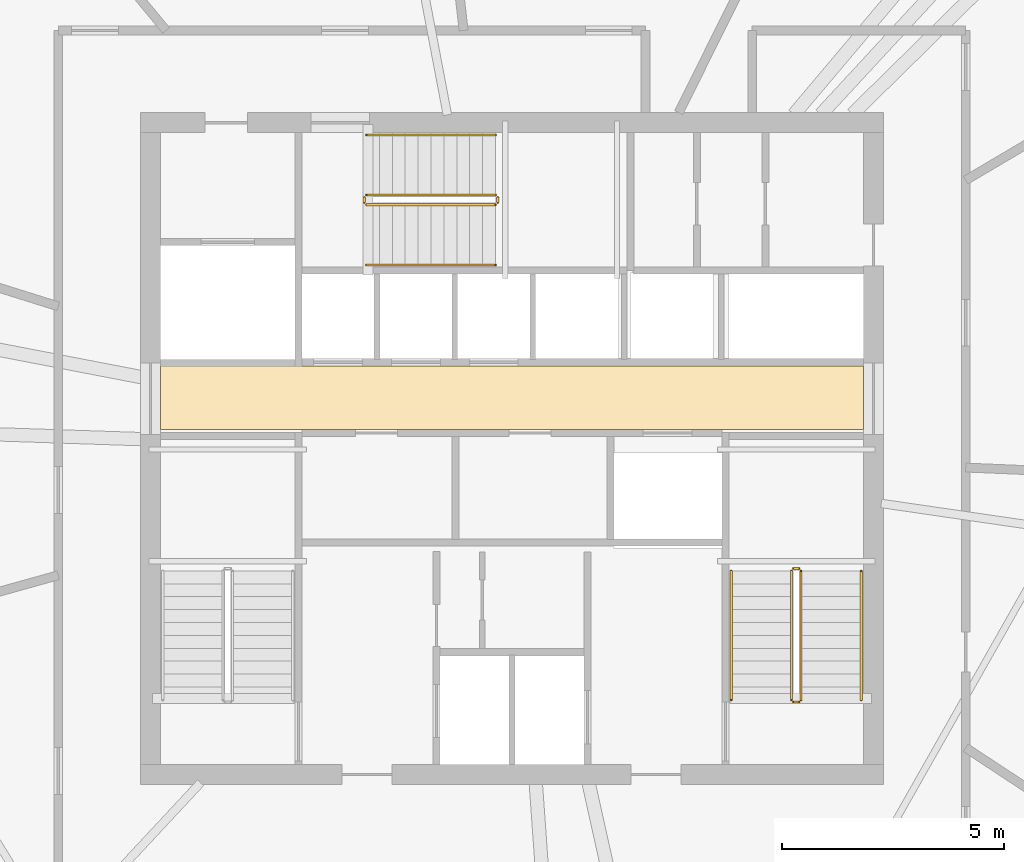
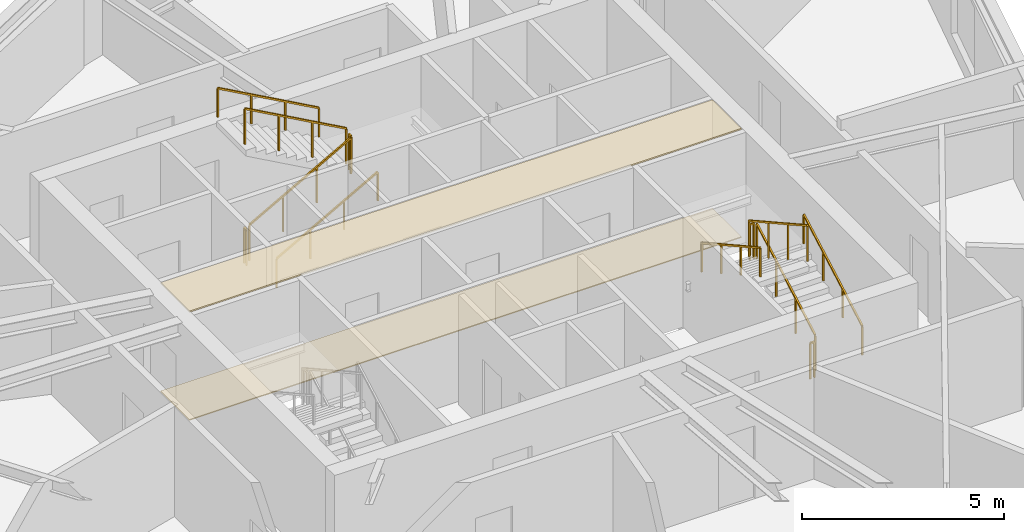
# One storey, part 13 of 14: 12 railings, 2 coverings.
"""IFC4 building model written with IfcOpenShell, lengths in metres."""

from ifc_helpers import new_model, si_unit, direction, frame, origin, origin_2d, place, context, subcontext, project, spatial, polyline, rectangle, outline, extrude, material, layer, layer_set, type_object, element, save


model = new_model("IFC4")

# Units and contexts
model_context = context("Model", 3, precision=1e-05, world=origin(), true_north=direction((0.0, 1.0)))
body_context = subcontext(model_context, "Body", "Model", "MODEL_VIEW")
ifc_project = project(units=[si_unit("LENGTHUNIT", "METRE"), si_unit("AREAUNIT", "SQUARE_METRE"), si_unit("VOLUMEUNIT", "CUBIC_METRE"), si_unit("PLANEANGLEUNIT", "RADIAN"), si_unit("MASSUNIT", "GRAM", prefix="KILO")], contexts=[model_context])

# Site, building, storey
site_placement = place(None, origin())
site = spatial("IfcSite", under=ifc_project, at=site_placement, CompositionType="ELEMENT")
building_placement = place(site_placement, origin())
building = spatial("IfcBuilding", under=site, at=building_placement, Name="Olszyna Solenne Hotel", CompositionType="ELEMENT")
storey_placement = place(building_placement, frame((0.0, 0.0, 223.800048828125)))
storey = spatial("IfcBuildingStorey", under=building, at=storey_placement, Name="L59", CompositionType="ELEMENT", Elevation=223.800048828125)

# Coverings
ifc_material_1 = material(Name="Mineral wool acoustic ceiling")
ifc_layer_1 = layer(ifc_material_1, 0.0400390625, Name="Mineral wool acoustic ceiling")
ifc_layer_set_1 = layer_set([ifc_layer_1], Name="Mineral wool acoustic ceiling")
covering_type_1 = type_object("IfcCoveringType", Name="CL-AC1", PredefinedType="CEILING", material=ifc_layer_set_1)
covering_1_placement = place(storey_placement, frame((0.0, 0.0, 3.27001953125)))
element("IfcCovering", 1, at=covering_1_placement, inside=storey, type_object=covering_type_1, Name="Lift lobby acoustic tile ceiling CL-L59-01", PredefinedType="CEILING", context=body_context, shape_type="SweptSolid", body=[
    extrude(outline(polyline([(30.10009765625, 27.030029296875), (45.89990234375, 27.030029296875), (45.89990234375, 28.4599609375), (30.10009765625, 28.4599609375), (30.10009765625, 27.030029296875)])), origin(), (0.0, 0.0, 1.0), 0.0400390625),
])
ifc_material_2 = material(Name="Ceramic floor tile")
ifc_layer_2 = layer(ifc_material_2, 0.030029296875, Name="Ceramic floor tile")
ifc_layer_set_2 = layer_set([ifc_layer_2], Name="Ceramic floor tile")
covering_type_2 = type_object("IfcCoveringType", Name="FL-TL1", PredefinedType="FLOORING", material=ifc_layer_set_2)
covering_2_placement = place(storey_placement, origin())
element("IfcCovering", 2, at=covering_2_placement, inside=storey, type_object=covering_type_2, Name="Lift lobby stoneware floor finish FLR-L59-01", PredefinedType="FLOORING", context=body_context, shape_type="SweptSolid", body=[
    extrude(outline(polyline([(30.10009765625, 27.030029296875), (45.89990234375, 27.030029296875), (45.89990234375, 28.4599609375), (30.10009765625, 28.4599609375), (30.10009765625, 27.030029296875)])), origin(), (0.0, 0.0, 1.0), 0.030029296875),
])

# Railings
ifc_material_3 = material(Name="Anodised bronze aluminium", Category="aluminium")
railing_type_1 = type_object("IfcRailingType", Name="GR-110", PredefinedType="BALUSTRADE", material=ifc_material_3)
railing_1_placement = place(storey_placement, frame((44.5, 20.949951171875, 0.161376953125)))
element("IfcRailing", 3, at=railing_1_placement, inside=storey, type_object=railing_type_1, Name="L59 ST2 stair guard 1", PredefinedType="BALUSTRADE", context=body_context, shape_type="SweptSolid", body=[
    extrude(rectangle(XDim=0.048095703125, YDim=0.048095703125, at=origin_2d()), frame((0.0, 0.0, 1.076171875), z_axis=(0.0, 0.873858693841, 0.486179990537), x_axis=(-1.0, 0.0, 0.0)), (0.0, 0.0, 1.0), 3.31884765625),
    extrude(rectangle(XDim=0.0419921875, YDim=0.0419921875, at=origin_2d()), origin(), (0.0, 0.0, 1.0), 1.052001953125),
    extrude(rectangle(XDim=0.0419921875, YDim=0.0419921875, at=origin_2d()), frame((0.0, 0.966796875, 0.537841796875)), (0.0, 0.0, 1.0), 1.052001953125),
    extrude(rectangle(XDim=0.0419921875, YDim=0.0419921875, at=origin_2d()), frame((0.0, 1.933349609375, 1.07568359375)), (0.0, 0.0, 1.0), 1.052001953125),
    extrude(rectangle(XDim=0.0419921875, YDim=0.0419921875, at=origin_2d()), frame((0.0, 2.900146484375, 1.613525390625)), (0.0, 0.0, 1.0), 1.052001953125),
])
railing_2_placement = place(storey_placement, frame((44.449951171875, 23.89990234375, 1.77490234375)))
element("IfcRailing", 4, at=railing_2_placement, inside=storey, type_object=railing_type_1, Name="L59 ST2 stair guard 2", PredefinedType="BALUSTRADE", context=body_context, shape_type="SweptSolid", body=[
    extrude(rectangle(XDim=0.048095703125, YDim=0.048095703125, at=origin_2d()), frame((0.0, 0.0, 1.076171875), z_axis=(-1.0, 0.0, 0.0), x_axis=(0.0, -1.0, 0.0)), (0.0, 0.0, 1.0), 0.119873046875),
    extrude(rectangle(XDim=0.0419921875, YDim=0.0419921875, at=origin_2d()), origin(), (0.0, 0.0, 1.0), 1.052001953125),
    extrude(rectangle(XDim=0.0419921875, YDim=0.0419921875, at=origin_2d()), frame((-0.119873046875, 0.0, 0.0)), (0.0, 0.0, 1.0), 1.052001953125),
])
railing_3_placement = place(storey_placement, frame((44.280029296875, 23.85009765625, 1.936279296875)))
element("IfcRailing", 5, at=railing_3_placement, inside=storey, type_object=railing_type_1, Name="L59 ST2 stair guard 3", PredefinedType="BALUSTRADE", context=body_context, shape_type="SweptSolid", body=[
    extrude(rectangle(XDim=0.048095703125, YDim=0.048095703125, at=origin_2d()), frame((0.0, 0.0, 1.076171875), z_axis=(0.0, -0.873827439584, 0.48623616261), x_axis=(1.0, 0.0, 0.0)), (0.0, 0.0, 1.0), 3.31884765625),
    extrude(rectangle(XDim=0.0419921875, YDim=0.0419921875, at=origin_2d()), origin(), (0.0, 0.0, 1.0), 1.052001953125),
    extrude(rectangle(XDim=0.0419921875, YDim=0.0419921875, at=origin_2d()), frame((0.0, -0.966796875, 0.537841796875)), (0.0, 0.0, 1.0), 1.052001953125),
    extrude(rectangle(XDim=0.0419921875, YDim=0.0419921875, at=origin_2d()), frame((0.0, -1.933349609375, 1.075927734375)), (0.0, 0.0, 1.0), 1.052001953125),
    extrude(rectangle(XDim=0.0419921875, YDim=0.0419921875, at=origin_2d()), frame((0.0, -2.900146484375, 1.61376953125)), (0.0, 0.0, 1.0), 1.052001953125),
])
railing_4_placement = place(storey_placement, frame((44.449951171875, 20.89990234375, 0.0)))
element("IfcRailing", 6, at=railing_4_placement, inside=storey, type_object=railing_type_1, Name="L59 ST2 stair guard 4", PredefinedType="BALUSTRADE", context=body_context, shape_type="SweptSolid", body=[
    extrude(rectangle(XDim=0.048095703125, YDim=0.048095703125, at=origin_2d()), frame((0.0, 0.0, 1.076171875), z_axis=(-1.0, 0.0, 0.0), x_axis=(0.0, -1.0, 0.0)), (0.0, 0.0, 1.0), 0.119873046875),
    extrude(rectangle(XDim=0.0419921875, YDim=0.0419921875, at=origin_2d()), origin(), (0.0, 0.0, 1.0), 1.052001953125),
    extrude(rectangle(XDim=0.0419921875, YDim=0.0419921875, at=origin_2d()), frame((-0.119873046875, 0.0, 0.0)), (0.0, 0.0, 1.0), 1.052001953125),
])
railing_5_placement = place(storey_placement, frame((34.72998046875, 32.080078125, 0.161376953125)))
element("IfcRailing", 7, at=railing_5_placement, inside=storey, type_object=railing_type_1, Name="L59 ST3 stair guard 1", PredefinedType="BALUSTRADE", context=body_context, shape_type="SweptSolid", body=[
    extrude(rectangle(XDim=0.048095703125, YDim=0.048095703125, at=origin_2d()), frame((0.0, 0.0, 1.076171875), z_axis=(0.873841303929, 0.0, 0.486211245805), x_axis=(0.0, 1.0, 0.0)), (0.0, 0.0, 1.0), 3.318603515625),
    extrude(rectangle(XDim=0.0419921875, YDim=0.0419921875, at=origin_2d()), origin(), (0.0, 0.0, 1.0), 1.052001953125),
    extrude(rectangle(XDim=0.0419921875, YDim=0.0419921875, at=origin_2d()), frame((0.966552734375, 0.0, 0.537841796875)), (0.0, 0.0, 1.0), 1.052001953125),
    extrude(rectangle(XDim=0.0419921875, YDim=0.0419921875, at=origin_2d()), frame((1.933349609375, 0.0, 1.07568359375)), (0.0, 0.0, 1.0), 1.052001953125),
    extrude(rectangle(XDim=0.0419921875, YDim=0.0419921875, at=origin_2d()), frame((2.89990234375, 0.0, 1.613525390625)), (0.0, 0.0, 1.0), 1.052001953125),
])
railing_6_placement = place(storey_placement, frame((37.679931640625, 32.1298828125, 1.77490234375)))
element("IfcRailing", 8, at=railing_6_placement, inside=storey, type_object=railing_type_1, Name="L59 ST3 stair guard 2", PredefinedType="BALUSTRADE", context=body_context, shape_type="SweptSolid", body=[
    extrude(rectangle(XDim=0.048095703125, YDim=0.048095703125, at=origin_2d()), frame((0.0, 0.0, 1.076171875), z_axis=(0.0, 1.0, 0.0), x_axis=(-1.0, 0.0, 0.0)), (0.0, 0.0, 1.0), 0.1201171875),
    extrude(rectangle(XDim=0.0419921875, YDim=0.0419921875, at=origin_2d()), origin(), (0.0, 0.0, 1.0), 1.052001953125),
    extrude(rectangle(XDim=0.0419921875, YDim=0.0419921875, at=origin_2d()), frame((0.0, 0.1201171875, 0.0)), (0.0, 0.0, 1.0), 1.052001953125),
])
railing_7_placement = place(storey_placement, frame((37.6298828125, 32.300048828125, 1.936279296875)))
element("IfcRailing", 9, at=railing_7_placement, inside=storey, type_object=railing_type_1, Name="L59 ST3 stair guard 3", PredefinedType="BALUSTRADE", context=body_context, shape_type="SweptSolid", body=[
    extrude(rectangle(XDim=0.048095703125, YDim=0.048095703125, at=origin_2d()), frame((0.0, 0.0, 1.076171875), z_axis=(-0.873810046276, 0.0, 0.486267419253), x_axis=(0.0, -1.0, 0.0)), (0.0, 0.0, 1.0), 3.318603515625),
    extrude(rectangle(XDim=0.0419921875, YDim=0.0419921875, at=origin_2d()), origin(), (0.0, 0.0, 1.0), 1.052001953125),
    extrude(rectangle(XDim=0.0419921875, YDim=0.0419921875, at=origin_2d()), frame((-0.966552734375, 0.0, 0.537841796875)), (0.0, 0.0, 1.0), 1.052001953125),
    extrude(rectangle(XDim=0.0419921875, YDim=0.0419921875, at=origin_2d()), frame((-1.933349609375, 0.0, 1.075927734375)), (0.0, 0.0, 1.0), 1.052001953125),
    extrude(rectangle(XDim=0.0419921875, YDim=0.0419921875, at=origin_2d()), frame((-2.89990234375, 0.0, 1.61376953125)), (0.0, 0.0, 1.0), 1.052001953125),
])
railing_8_placement = place(storey_placement, frame((34.679931640625, 32.1298828125, 0.0)))
element("IfcRailing", 10, at=railing_8_placement, inside=storey, type_object=railing_type_1, Name="L59 ST3 stair guard 4", PredefinedType="BALUSTRADE", context=body_context, shape_type="SweptSolid", body=[
    extrude(rectangle(XDim=0.048095703125, YDim=0.048095703125, at=origin_2d()), frame((0.0, 0.0, 1.076171875), z_axis=(0.0, 1.0, 0.0), x_axis=(-1.0, 0.0, 0.0)), (0.0, 0.0, 1.0), 0.1201171875),
    extrude(rectangle(XDim=0.0419921875, YDim=0.0419921875, at=origin_2d()), origin(), (0.0, 0.0, 1.0), 1.052001953125),
    extrude(rectangle(XDim=0.0419921875, YDim=0.0419921875, at=origin_2d()), frame((0.0, 0.1201171875, 0.0)), (0.0, 0.0, 1.0), 1.052001953125),
])
ifc_material_4 = material(Name="Steel S355J2", Category="steel")
railing_type_2 = type_object("IfcRailingType", Name="HR-090", PredefinedType="HANDRAIL", material=ifc_material_4)
railing_9_placement = place(storey_placement, frame((45.85009765625, 20.949951171875, 0.161376953125)))
element("IfcRailing", 11, at=railing_9_placement, inside=storey, type_object=railing_type_2, Name="L59 ST2 stair handrail 1", PredefinedType="HANDRAIL", context=body_context, shape_type="SweptSolid", body=[
    extrude(rectangle(XDim=0.048095703125, YDim=0.048095703125, at=origin_2d()), frame((0.0, 0.0, 0.8759765625), z_axis=(0.0, 0.873858693841, 0.486179990537), x_axis=(-1.0, 0.0, 0.0)), (0.0, 0.0, 1.0), 3.31884765625),
    extrude(rectangle(XDim=0.0419921875, YDim=0.0419921875, at=origin_2d()), origin(), (0.0, 0.0, 1.0), 0.851806640625),
    extrude(rectangle(XDim=0.0419921875, YDim=0.0419921875, at=origin_2d()), frame((0.0, 0.966796875, 0.537841796875)), (0.0, 0.0, 1.0), 0.851806640625),
    extrude(rectangle(XDim=0.0419921875, YDim=0.0419921875, at=origin_2d()), frame((0.0, 1.933349609375, 1.07568359375)), (0.0, 0.0, 1.0), 0.851806640625),
    extrude(rectangle(XDim=0.0419921875, YDim=0.0419921875, at=origin_2d()), frame((0.0, 2.900146484375, 1.613525390625)), (0.0, 0.0, 1.0), 0.851806640625),
])
railing_10_placement = place(storey_placement, frame((42.929931640625, 23.85009765625, 1.936279296875)))
element("IfcRailing", 12, at=railing_10_placement, inside=storey, type_object=railing_type_2, Name="L59 ST2 stair handrail 2", PredefinedType="HANDRAIL", context=body_context, shape_type="SweptSolid", body=[
    extrude(rectangle(XDim=0.048095703125, YDim=0.048095703125, at=origin_2d()), frame((0.0, 0.0, 0.8759765625), z_axis=(0.0, -0.873827439584, 0.48623616261), x_axis=(1.0, 0.0, 0.0)), (0.0, 0.0, 1.0), 3.31884765625),
    extrude(rectangle(XDim=0.0419921875, YDim=0.0419921875, at=origin_2d()), origin(), (0.0, 0.0, 1.0), 0.851806640625),
    extrude(rectangle(XDim=0.0419921875, YDim=0.0419921875, at=origin_2d()), frame((0.0, -0.966796875, 0.537841796875)), (0.0, 0.0, 1.0), 0.851806640625),
    extrude(rectangle(XDim=0.0419921875, YDim=0.0419921875, at=origin_2d()), frame((0.0, -1.933349609375, 1.075927734375)), (0.0, 0.0, 1.0), 0.851806640625),
    extrude(rectangle(XDim=0.0419921875, YDim=0.0419921875, at=origin_2d()), frame((0.0, -2.900146484375, 1.61376953125)), (0.0, 0.0, 1.0), 0.851806640625),
])
railing_11_placement = place(storey_placement, frame((34.72998046875, 30.72998046875, 0.161376953125)))
element("IfcRailing", 13, at=railing_11_placement, inside=storey, type_object=railing_type_2, Name="L59 ST3 stair handrail 1", PredefinedType="HANDRAIL", context=body_context, shape_type="SweptSolid", body=[
    extrude(rectangle(XDim=0.048095703125, YDim=0.048095703125, at=origin_2d()), frame((0.0, 0.0, 0.8759765625), z_axis=(0.873841303929, 0.0, 0.486211245805), x_axis=(0.0, 1.0, 0.0)), (0.0, 0.0, 1.0), 3.318603515625),
    extrude(rectangle(XDim=0.0419921875, YDim=0.0419921875, at=origin_2d()), origin(), (0.0, 0.0, 1.0), 0.851806640625),
    extrude(rectangle(XDim=0.0419921875, YDim=0.0419921875, at=origin_2d()), frame((0.966552734375, 0.0, 0.537841796875)), (0.0, 0.0, 1.0), 0.851806640625),
    extrude(rectangle(XDim=0.0419921875, YDim=0.0419921875, at=origin_2d()), frame((1.933349609375, 0.0, 1.07568359375)), (0.0, 0.0, 1.0), 0.851806640625),
    extrude(rectangle(XDim=0.0419921875, YDim=0.0419921875, at=origin_2d()), frame((2.89990234375, 0.0, 1.613525390625)), (0.0, 0.0, 1.0), 0.851806640625),
])
railing_12_placement = place(storey_placement, frame((37.6298828125, 33.64990234375, 1.936279296875)))
element("IfcRailing", 14, at=railing_12_placement, inside=storey, type_object=railing_type_2, Name="L59 ST3 stair handrail 2", PredefinedType="HANDRAIL", context=body_context, shape_type="SweptSolid", body=[
    extrude(rectangle(XDim=0.048095703125, YDim=0.048095703125, at=origin_2d()), frame((0.0, 0.0, 0.8759765625), z_axis=(-0.873810046276, 0.0, 0.486267419253), x_axis=(0.0, -1.0, 0.0)), (0.0, 0.0, 1.0), 3.318603515625),
    extrude(rectangle(XDim=0.0419921875, YDim=0.0419921875, at=origin_2d()), origin(), (0.0, 0.0, 1.0), 0.851806640625),
    extrude(rectangle(XDim=0.0419921875, YDim=0.0419921875, at=origin_2d()), frame((-0.966552734375, 0.0, 0.537841796875)), (0.0, 0.0, 1.0), 0.851806640625),
    extrude(rectangle(XDim=0.0419921875, YDim=0.0419921875, at=origin_2d()), frame((-1.933349609375, 0.0, 1.075927734375)), (0.0, 0.0, 1.0), 0.851806640625),
    extrude(rectangle(XDim=0.0419921875, YDim=0.0419921875, at=origin_2d()), frame((-2.89990234375, 0.0, 1.61376953125)), (0.0, 0.0, 1.0), 0.851806640625),
])

save(model, "model.ifc")
